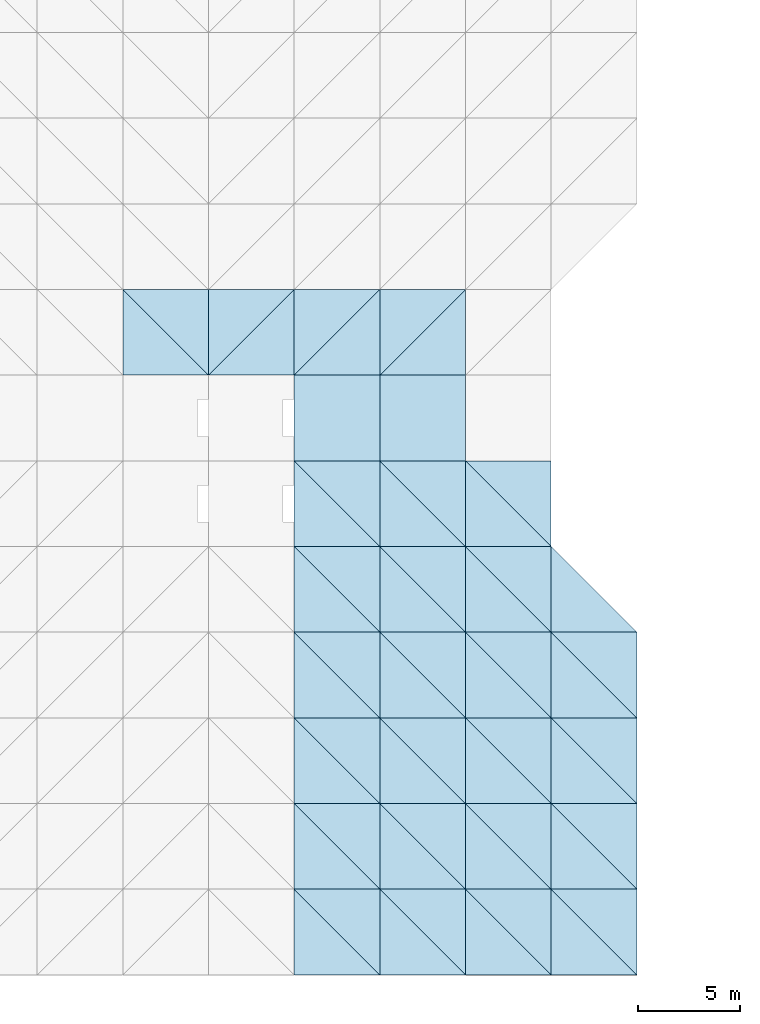
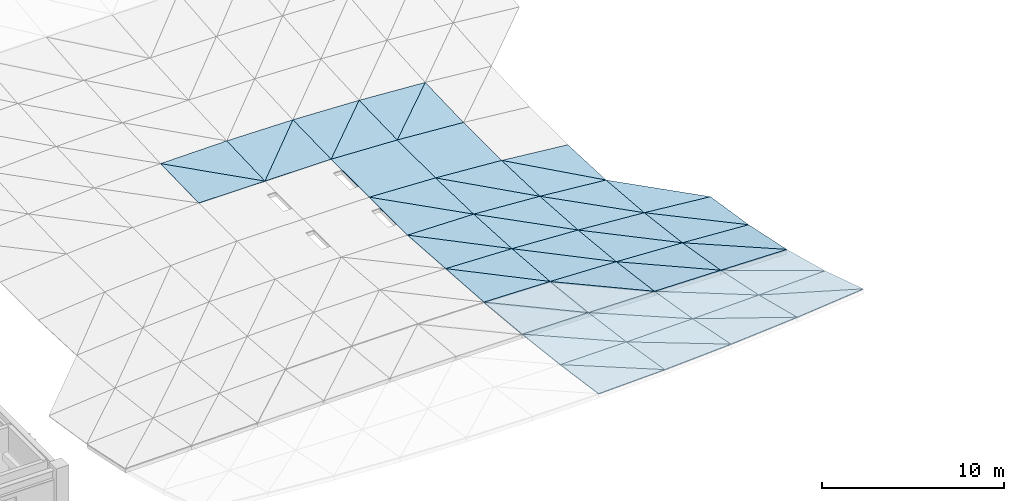
# One storey, part 99 of 123: 55 roofs.
"""IFC4 building model written with IfcOpenShell, lengths in metres."""

from ifc_helpers import new_model, si_unit, direction, frame, origin, place, context, subcontext, project, spatial, polyline, outline, extrude, material, layer, layer_set, type_object, element, save


model = new_model("IFC4")

# Units and contexts
model_context = context("Model", 3, precision=1e-05, world=origin(), true_north=direction((0.0, 1.0)))
body_context = subcontext(model_context, "Body", "Model", "MODEL_VIEW")
ifc_project = project(units=[si_unit("LENGTHUNIT", "METRE"), si_unit("AREAUNIT", "SQUARE_METRE"), si_unit("VOLUMEUNIT", "CUBIC_METRE"), si_unit("PLANEANGLEUNIT", "RADIAN"), si_unit("MASSUNIT", "GRAM", prefix="KILO")], contexts=[model_context])

# Site, building, storey
site_placement = place(None, origin())
site = spatial("IfcSite", under=ifc_project, at=site_placement, CompositionType="ELEMENT")
building_placement = place(site_placement, origin())
building = spatial("IfcBuilding", under=site, at=building_placement, Name="Cumbredor Promenade Congress Hotel", CompositionType="ELEMENT")
storey_placement = place(building_placement, frame((0.0, 0.0, 11.760009765625)))
storey = spatial("IfcBuildingStorey", under=building, at=storey_placement, Name="L03", CompositionType="ELEMENT", Elevation=11.760009765625)

# Roofs
ifc_material = material(Name="Standing-seam zinc-aluminium roofing", Category="aluminium")
ifc_layer = layer(ifc_material, 0.050048828125, Name="Standing-seam zinc-aluminium roofing", Category="aluminium")
ifc_layer_set = layer_set([ifc_layer], Name="Standing-seam zinc-aluminium roofing")
roof_type = type_object("IfcRoofType", Name="Sweeping Pavilion Standing-Seam Roof Skin 50mm", PredefinedType="FREEFORM", material=ifc_layer_set)
roof_1_placement = place(storey_placement, frame((88.199951171875, 29.39990234375, 0.742431640625), z_axis=(0.0, -0.023766825704, 0.999717529103), x_axis=(1.0, 0.0, 0.0)))
element("IfcRoof", 1, at=roof_1_placement, inside=storey, type_object=roof_type, Name="Thermal Spa and Hydrotherapy Pavilion Standing-Seam Roof Skin 5.8.1", PredefinedType="FREEFORM", context=body_context, shape_type="SweptSolid", body=[
    extrude(outline(polyline([(0.0, 0.0), (4.199951171875, 0.0), (0.0, 4.2013820806646045), (0.0, 0.0)])), origin(), (0.0, 0.0, -1.0), 0.050048828125),
])
roof_2_placement = place(storey_placement, frame((92.39990234375, 29.39990234375, 0.742431640625), z_axis=(-0.012894982463, -0.036649824226, 0.99924496987), x_axis=(0.0, 0.999328057745, 0.036652871683)))
element("IfcRoof", 2, at=roof_2_placement, inside=storey, type_object=roof_type, Name="Thermal Spa and Hydrotherapy Pavilion Standing-Seam Roof Skin 5.8.2", PredefinedType="FREEFORM", context=body_context, shape_type="SweptSolid", body=[
    extrude(outline(polyline([(0.0, 0.0), (4.203019498897833, 4.336808689942018e-19), (4.20103294188766, 4.200300400571196), (0.0, 0.0)])), origin(), (0.0, 0.0, -1.0), 0.050048828125),
])
roof_3_placement = place(storey_placement, frame((92.39990234375, 29.39990234375, 0.742431640625), z_axis=(0.0, -0.023766825704, 0.999717529103), x_axis=(1.0, 0.0, 0.0)))
element("IfcRoof", 3, at=roof_3_placement, inside=storey, type_object=roof_type, Name="Thermal Spa and Hydrotherapy Pavilion Standing-Seam Roof Skin 6.8.1", PredefinedType="FREEFORM", context=body_context, shape_type="SweptSolid", body=[
    extrude(outline(polyline([(0.0, 0.0), (4.2001953125, 0.0), (4.2001953125, 4.201382080664605), (0.0, 0.0)])), origin(), (0.0, 0.0, -1.0), 0.050048828125),
])
roof_4_placement = place(storey_placement, frame((92.39990234375, 29.39990234375, 0.742431640625), z_axis=(0.012894233054, -0.03664982458, 0.999244979528), x_axis=(0.707006891483, 0.707006891483, 0.016808057348)))
element("IfcRoof", 4, at=roof_4_placement, inside=storey, type_object=roof_type, Name="Thermal Spa and Hydrotherapy Pavilion Standing-Seam Roof Skin 6.8.2", PredefinedType="FREEFORM", context=body_context, shape_type="SweptSolid", body=[
    extrude(outline(polyline([(0.0, 0.0), (5.940812406639063, -6.938893903907228e-17), (2.9721563587050195, 2.9718108095107105), (0.0, 0.0)])), origin(), (0.0, 0.0, -1.0), 0.050048828125),
])
roof_5_placement = place(storey_placement, frame((96.60009765625, 0.0, 2.837890625), z_axis=(-0.03393363177, 0.141025873049, 0.989424181919), x_axis=(0.999412398725, 0.0, 0.034276191086)))
element("IfcRoof", 5, at=roof_5_placement, inside=storey, type_object=roof_type, Name="Thermal Spa and Hydrotherapy Pavilion Standing-Seam Roof Skin 7.1.1", PredefinedType="FREEFORM", context=body_context, shape_type="SweptSolid", body=[
    extrude(outline(polyline([(0.0, 0.0), (4.202420519531631, 0.0), (-0.02051885267142959, 4.242349592739959), (0.0, 0.0)])), origin(), (0.0, 0.0, -1.0), 0.050048828125),
])
roof_6_placement = place(storey_placement, frame((100.800048828125, 0.0, 2.98193359375), z_axis=(-0.012216552211, 0.162256461051, 0.986672993802), x_axis=(0.0, 0.98674662963, -0.16226857032)))
element("IfcRoof", 6, at=roof_6_placement, inside=storey, type_object=roof_type, Name="Thermal Spa and Hydrotherapy Pavilion Standing-Seam Roof Skin 7.1.2", PredefinedType="FREEFORM", context=body_context, shape_type="SweptSolid", body=[
    extrude(outline(polyline([(0.0, 0.0), (4.256362318105806, -1.734723475976807e-18), (4.264800600693272, 4.200264616027182), (0.0, 0.0)])), origin(), (0.0, 0.0, -1.0), 0.050048828125),
])
roof_7_placement = place(storey_placement, frame((96.60009765625, 4.199951171875, 2.2392578125), z_axis=(-0.012294149294, 0.117977658011, 0.992940142256), x_axis=(0.999923357281, 0.0, 0.012380612399)))
element("IfcRoof", 7, at=roof_7_placement, inside=storey, type_object=roof_type, Name="Thermal Spa and Hydrotherapy Pavilion Standing-Seam Roof Skin 7.2.1", PredefinedType="FREEFORM", context=body_context, shape_type="SweptSolid", body=[
    extrude(outline(polyline([(0.0, 0.0), (4.200273092224242, 0.0), (-0.006178215757730533, 4.229488865922046), (0.0, 0.0)])), origin(), (0.0, 0.0, -1.0), 0.050048828125),
])
roof_8_placement = place(storey_placement, frame((100.800048828125, 4.199951171875, 2.291259765625), z_axis=(0.005816583131, 0.135797059638, 0.990719600066), x_axis=(0.0, 0.99073635982, -0.135799356883)))
element("IfcRoof", 8, at=roof_8_placement, inside=storey, type_object=roof_type, Name="Thermal Spa and Hydrotherapy Pavilion Standing-Seam Roof Skin 7.2.2", PredefinedType="FREEFORM", context=body_context, shape_type="SweptSolid", body=[
    extrude(outline(polyline([(0.0, 0.0), (4.239221797246176, 0.0), (4.235873229119914, 4.200022221394436), (0.0, 0.0)])), origin(), (0.0, 0.0, -1.0), 0.050048828125),
])
roof_9_placement = place(storey_placement, frame((96.60009765625, 8.39990234375, 1.740234375), z_axis=(0.005844666112, 0.094550785274, 0.995502882408), x_axis=(0.99998276572, 0.0, -0.005870967816)))
element("IfcRoof", 9, at=roof_9_placement, inside=storey, type_object=roof_type, Name="Thermal Spa and Hydrotherapy Pavilion Standing-Seam Roof Skin 7.3.1", PredefinedType="FREEFORM", context=body_context, shape_type="SweptSolid", body=[
    extrude(outline(polyline([(0.0, 0.0), (4.20002355625722, 0.0), (0.0023420804226697506, 4.219096699146892), (0.0, 0.0)])), origin(), (0.0, 0.0, -1.0), 0.050048828125),
])
roof_10_placement = place(storey_placement, frame((100.800048828125, 8.39990234375, 1.715576171875), z_axis=(0.020393234648, 0.108950155595, 0.993838004695), x_axis=(0.0, 0.99404472985, -0.108972817978)))
element("IfcRoof", 10, at=roof_10_placement, inside=storey, type_object=roof_type, Name="Thermal Spa and Hydrotherapy Pavilion Standing-Seam Roof Skin 7.3.2", PredefinedType="FREEFORM", context=body_context, shape_type="SweptSolid", body=[
    extrude(outline(polyline([(0.0, 0.0), (4.225358463632933, 0.0), (4.215967007396045, 4.200824790664894), (0.0, 0.0)])), origin(), (0.0, 0.0, -1.0), 0.050048828125),
])
roof_11_placement = place(storey_placement, frame((96.60009765625, 12.60009765625, 1.34130859375), z_axis=(0.020463395145, 0.071129138365, 0.997257186053), x_axis=(0.999789537892, 0.0, -0.020515358186)))
element("IfcRoof", 11, at=roof_11_placement, inside=storey, type_object=roof_type, Name="Thermal Spa and Hydrotherapy Pavilion Standing-Seam Roof Skin 7.4.1", PredefinedType="FREEFORM", context=body_context, shape_type="SweptSolid", body=[
    extrude(outline(polyline([(0.0, 0.0), (4.200835288524772, 0.0), (0.006145591917572152, 4.210616178076342), (0.0, 0.0)])), origin(), (0.0, 0.0, -1.0), 0.050048828125),
])
roof_12_placement = place(storey_placement, frame((100.800048828125, 12.60009765625, 1.255126953125), z_axis=(0.031269074977, 0.081878651885, 0.996151660801), x_axis=(0.0, 0.996639014372, -0.081918709895)))
element("IfcRoof", 12, at=roof_12_placement, inside=storey, type_object=roof_type, Name="Thermal Spa and Hydrotherapy Pavilion Standing-Seam Roof Skin 7.4.2", PredefinedType="FREEFORM", context=body_context, shape_type="SweptSolid", body=[
    extrude(outline(polyline([(0.0, 0.0), (4.214114750986205, 0.0), (4.203314921068416, 4.202005940527029), (0.0, 0.0)])), origin(), (0.0, 0.0, -1.0), 0.050048828125),
])
roof_13_placement = place(storey_placement, frame((96.60009765625, 16.800048828125, 1.041748046875), z_axis=(0.031295126423, 0.071051527769, 0.99698159234), x_axis=(0.999507701685, 0.0, -0.031374420677)))
element("IfcRoof", 13, at=roof_13_placement, inside=storey, type_object=roof_type, Name="Thermal Spa and Hydrotherapy Pavilion Standing-Seam Roof Skin 7.5.1", PredefinedType="FREEFORM", context=body_context, shape_type="SweptSolid", body=[
    extrude(outline(polyline([(0.0, 0.0), (4.202019819152533, -1.734723475976807e-18), (0.009390878845273525, 4.210592828638161), (0.0, 0.0)])), origin(), (0.0, 0.0, -1.0), 0.050048828125),
])
roof_14_placement = place(storey_placement, frame((100.800048828125, 16.800048828125, 0.909912109375), z_axis=(0.014973176444, 0.054785575826, 0.998385869626), x_axis=(0.0, 0.998497805514, -0.054791718212)))
element("IfcRoof", 14, at=roof_14_placement, inside=storey, type_object=roof_type, Name="Thermal Spa and Hydrotherapy Pavilion Standing-Seam Roof Skin 7.5.2", PredefinedType="FREEFORM", context=body_context, shape_type="SweptSolid", body=[
    extrude(outline(polyline([(0.0, 0.0), (4.206269807187926, 0.0), (4.2028185710310035, 4.200422057207824), (0.0, 0.0)])), origin(), (0.0, 0.0, -1.0), 0.050048828125),
])
roof_15_placement = place(storey_placement, frame((96.60009765625, 21.0, 0.742431640625), z_axis=(0.014995697844, 0.0, 0.999887558202), x_axis=(0.999887558202, 0.0, -0.014995697844)))
element("IfcRoof", 15, at=roof_15_placement, inside=storey, type_object=roof_type, Name="Thermal Spa and Hydrotherapy Pavilion Standing-Seam Roof Skin 7.6.1", PredefinedType="FREEFORM", context=body_context, shape_type="SweptSolid", body=[
    extrude(outline(polyline([(0.0, 0.0), (4.200423475044988, 0.0), (0.0, 4.199951171875001), (0.0, 0.0)])), origin(), (0.0, 0.0, -1.0), 0.050048828125),
])
roof_16_placement = place(storey_placement, frame((100.800048828125, 21.0, 0.679443359375), z_axis=(0.042322500942, 0.027344167275, 0.99872974444), x_axis=(0.0, 0.999625407256, -0.027368689578)))
element("IfcRoof", 16, at=roof_16_placement, inside=storey, type_object=roof_type, Name="Thermal Spa and Hydrotherapy Pavilion Standing-Seam Roof Skin 7.6.2", PredefinedType="FREEFORM", context=body_context, shape_type="SweptSolid", body=[
    extrude(outline(polyline([(0.0, 0.0), (4.201525032667996, 8.673617379884035e-19), (4.196653993922229, 4.203717696413474), (0.0, 0.0)])), origin(), (0.0, 0.0, -1.0), 0.050048828125),
])
roof_17_placement = place(storey_placement, frame((96.60009765625, 25.199951171875, 0.742431640625), z_axis=(0.042338332161, 0.0, 0.999103330807), x_axis=(0.999103330807, 0.0, -0.042338332161)))
element("IfcRoof", 17, at=roof_17_placement, inside=storey, type_object=roof_type, Name="Thermal Spa and Hydrotherapy Pavilion Standing-Seam Roof Skin 7.7", PredefinedType="FREEFORM", context=body_context, shape_type="SweptSolid", body=[
    extrude(outline(polyline([(0.0, 0.0), (4.203720518559513, 0.0), (4.203720518559513, 4.199951171875), (0.0, 4.199951171875), (0.0, 0.0)])), origin(), (0.0, 0.0, -1.0), 0.050048828125),
])
roof_18_placement = place(storey_placement, frame((96.60009765625, 29.39990234375, 0.742431640625), z_axis=(0.042322502781, -0.027342579056, 0.998729787845), x_axis=(0.999103330807, 0.0, -0.042338332161)))
element("IfcRoof", 18, at=roof_18_placement, inside=storey, type_object=roof_type, Name="Thermal Spa and Hydrotherapy Pavilion Standing-Seam Roof Skin 7.8.1", PredefinedType="FREEFORM", context=body_context, shape_type="SweptSolid", body=[
    extrude(outline(polyline([(0.0, 0.0), (4.203720518559513, 0.0), (4.198852023821322, 4.201766261336721), (0.0, 0.0)])), origin(), (0.0, 0.0, -1.0), 0.050048828125),
])
roof_19_placement = place(storey_placement, frame((96.60009765625, 29.39990234375, 0.742431640625), z_axis=(0.038732269521, -0.023748991651, 0.998967365179), x_axis=(0.707046475575, 0.707087575759, -0.010603847625)))
element("IfcRoof", 19, at=roof_19_placement, inside=storey, type_object=roof_type, Name="Thermal Spa and Hydrotherapy Pavilion Standing-Seam Roof Skin 7.8.2", PredefinedType="FREEFORM", context=body_context, shape_type="SweptSolid", body=[
    extrude(outline(polyline([(0.0, 0.0), (5.940134513027124, -3.0401028916493544e-16), (2.9688470897663084, 2.9728031124371093), (0.0, 0.0)])), origin(), (0.0, 0.0, -1.0), 0.050048828125),
])
roof_20_placement = place(storey_placement, frame((100.800048828125, 0.0, 2.98193359375), z_axis=(-0.056294469809, 0.162011246277, 0.985181855674), x_axis=(0.998371428865, 0.0, 0.0570481378)))
element("IfcRoof", 20, at=roof_20_placement, inside=storey, type_object=roof_type, Name="Thermal Spa and Hydrotherapy Pavilion Standing-Seam Roof Skin 8.1.1", PredefinedType="FREEFORM", context=body_context, shape_type="SweptSolid", body=[
    extrude(outline(polyline([(0.0, 0.0), (4.206802248588535, 6.938893903907228e-18), (-0.03940165572175666, 4.2561799412756764), (0.0, 0.0)])), origin(), (0.0, 0.0, -1.0), 0.050048828125),
])
roof_21_placement = place(storey_placement, frame((105.0, 0.0, 3.221923828125), z_axis=(-0.020227342875, 0.196974434701, 0.980199942193), x_axis=(0.0, 0.980400525894, -0.197014742662)))
element("IfcRoof", 21, at=roof_21_placement, inside=storey, type_object=roof_type, Name="Thermal Spa and Hydrotherapy Pavilion Standing-Seam Roof Skin 8.1.2", PredefinedType="FREEFORM", context=body_context, shape_type="SweptSolid", body=[
    extrude(outline(polyline([(0.0, 0.0), (4.283913626060115, -3.469446951953614e-18), (4.300988878414865, 4.200810630967435), (0.0, 0.0)])), origin(), (0.0, 0.0, -1.0), 0.050048828125),
])
roof_22_placement = place(storey_placement, frame((100.800048828125, 4.199951171875, 2.291259765625), z_axis=(-0.020440500208, 0.135770984479, 0.990529366412), x_axis=(0.99978714706, 0.0, 0.020631543173)))
element("IfcRoof", 22, at=roof_22_placement, inside=storey, type_object=roof_type, Name="Thermal Spa and Hydrotherapy Pavilion Standing-Seam Roof Skin 8.2.1", PredefinedType="FREEFORM", context=body_context, shape_type="SweptSolid", body=[
    extrude(outline(polyline([(0.0, 0.0), (4.20084533415502, 1.734723475976807e-18), (-0.011877240918479985, 4.239205158681903), (0.0, 0.0)])), origin(), (0.0, 0.0, -1.0), 0.050048828125),
])
roof_23_placement = place(storey_placement, frame((105.0, 4.199951171875, 2.3779296875), z_axis=(0.009688390753, 0.165218592604, 0.986209385345), x_axis=(0.0, 0.986255673834, -0.165226347264)))
element("IfcRoof", 23, at=roof_23_placement, inside=storey, type_object=roof_type, Name="Thermal Spa and Hydrotherapy Pavilion Standing-Seam Roof Skin 8.2.2", PredefinedType="FREEFORM", context=body_context, shape_type="SweptSolid", body=[
    extrude(outline(polyline([(0.0, 0.0), (4.258481125434934, 0.0), (4.25166392507173, 4.200148299783333), (0.0, 0.0)])), origin(), (0.0, 0.0, -1.0), 0.050048828125),
])
roof_24_placement = place(storey_placement, frame((100.800048828125, 8.39990234375, 1.715576171875), z_axis=(0.009764898552, 0.108967622398, 0.993997336025), x_axis=(0.999951749302, 0.0, -0.009823393922)))
element("IfcRoof", 24, at=roof_24_placement, inside=storey, type_object=roof_type, Name="Thermal Spa and Hydrotherapy Pavilion Standing-Seam Roof Skin 8.3.1", PredefinedType="FREEFORM", context=body_context, shape_type="SweptSolid", body=[
    extrude(outline(polyline([(0.0, 0.0), (4.200153832229674, 0.0), (0.0045231740566402424, 4.225356042641958), (0.0, 0.0)])), origin(), (0.0, 0.0, -1.0), 0.050048828125),
])
roof_25_placement = place(storey_placement, frame((105.0, 8.39990234375, 1.67431640625), z_axis=(0.03385795146, 0.132717758183, 0.990575406411), x_axis=(0.0, 0.991143673483, -0.132793894872)))
element("IfcRoof", 25, at=roof_25_placement, inside=storey, type_object=roof_type, Name="Thermal Spa and Hydrotherapy Pavilion Standing-Seam Roof Skin 8.3.2", PredefinedType="FREEFORM", context=body_context, shape_type="SweptSolid", body=[
    extrude(outline(polyline([(0.0, 0.0), (4.237725997625938, 0.0), (4.218662811545682, 4.202360573460336), (0.0, 0.0)])), origin(), (0.0, 0.0, -1.0), 0.050048828125),
])
roof_26_placement = place(storey_placement, frame((100.800048828125, 12.60009765625, 1.255126953125), z_axis=(0.034045457996, 0.08187122042, 0.996061248145), x_axis=(0.999416372229, 0.0, -0.034160136422)))
element("IfcRoof", 26, at=roof_26_placement, inside=storey, type_object=roof_type, Name="Thermal Spa and Hydrotherapy Pavilion Standing-Seam Roof Skin 8.4.1", PredefinedType="FREEFORM", context=body_context, shape_type="SweptSolid", body=[
    extrude(outline(polyline([(0.0, 0.0), (4.202403811443803, 0.0), (0.011792586157460769, 4.214098251036779), (0.0, 0.0)])), origin(), (0.0, 0.0, -1.0), 0.050048828125),
])
roof_27_placement = place(storey_placement, frame((105.0, 12.60009765625, 1.111572265625), z_axis=(0.052099332578, 0.099808920947, 0.993641705468), x_axis=(0.0, 0.994992997931, -0.099944655027)))
element("IfcRoof", 27, at=roof_27_placement, inside=storey, type_object=roof_type, Name="Thermal Spa and Hydrotherapy Pavilion Standing-Seam Roof Skin 8.4.2", PredefinedType="FREEFORM", context=body_context, shape_type="SweptSolid", body=[
    extrude(outline(polyline([(0.0, 0.0), (4.221086159006848, 0.0), (4.199076862416491, 4.205662850776988), (0.0, 0.0)])), origin(), (0.0, 0.0, -1.0), 0.050048828125),
])
roof_28_placement = place(storey_placement, frame((100.800048828125, 16.800048828125, 0.909912109375), z_axis=(0.052282348828, 0.054716781922, 0.997132202758), x_axis=(0.998628232976, 0.0, -0.052360789754)))
element("IfcRoof", 28, at=roof_28_placement, inside=storey, type_object=roof_type, Name="Thermal Spa and Hydrotherapy Pavilion Standing-Seam Roof Skin 8.5.1", PredefinedType="FREEFORM", context=body_context, shape_type="SweptSolid", body=[
    extrude(outline(polyline([(0.0, 0.0), (4.2057204404884105, 1.734723475976807e-18), (0.012067525763698624, 4.206252496662877), (0.0, 0.0)])), origin(), (0.0, 0.0, -1.0), 0.050048828125),
])
roof_29_placement = place(storey_placement, frame((105.0, 16.800048828125, 0.689697265625), z_axis=(0.064303830401, 0.066734758283, 0.995696484594), x_axis=(0.0, 0.997761484681, -0.066873161183)))
element("IfcRoof", 29, at=roof_29_placement, inside=storey, type_object=roof_type, Name="Thermal Spa and Hydrotherapy Pavilion Standing-Seam Roof Skin 8.5.2", PredefinedType="FREEFORM", context=body_context, shape_type="SweptSolid", body=[
    extrude(outline(polyline([(0.0, 0.0), (4.209373919876968, 3.469446951953614e-18), (4.191235227964194, 4.208661556686839), (0.0, 0.0)])), origin(), (0.0, 0.0, -1.0), 0.050048828125),
])
roof_30_placement = place(storey_placement, frame((100.800048828125, 21.0, 0.679443359375), z_axis=(0.064423458559, 0.027311835267, 0.99754883672), x_axis=(0.997921098963, 0.0, -0.06444749991)))
element("IfcRoof", 30, at=roof_30_placement, inside=storey, type_object=roof_type, Name="Thermal Spa and Hydrotherapy Pavilion Standing-Seam Roof Skin 8.6.1", PredefinedType="FREEFORM", context=body_context, shape_type="SweptSolid", body=[
    extrude(outline(polyline([(0.0, 0.0), (4.208700644008552, 8.673617379884035e-19), (0.007410833119507516, 4.201518496887557), (0.0, 0.0)])), origin(), (0.0, 0.0, -1.0), 0.050048828125),
])
roof_31_placement = place(storey_placement, frame((105.0, 21.0, 0.408203125), z_axis=(0.07047012381, 0.033380584963, 0.996955213737), x_axis=(0.0, 0.999439930889, -0.033463779585)))
element("IfcRoof", 31, at=roof_31_placement, inside=storey, type_object=roof_type, Name="Thermal Spa and Hydrotherapy Pavilion Standing-Seam Roof Skin 8.6.2", PredefinedType="FREEFORM", context=body_context, shape_type="SweptSolid", body=[
    extrude(outline(polyline([(0.0, 0.0), (4.202304752961068, 1.734723475976807e-18), (4.192370193396919, 4.2104187340792425), (0.0, 0.0)])), origin(), (0.0, 0.0, -1.0), 0.050048828125),
])
roof_32_placement = place(storey_placement, frame((100.800048828125, 25.199951171875, 0.564453125), z_axis=(0.070509417793, 0.0, 0.997511113724), x_axis=(0.997511113724, 0.0, -0.070509417793)))
element("IfcRoof", 32, at=roof_32_placement, inside=storey, type_object=roof_type, Name="Thermal Spa and Hydrotherapy Pavilion Standing-Seam Roof Skin 8.7", PredefinedType="FREEFORM", context=body_context, shape_type="SweptSolid", body=[
    extrude(outline(polyline([(0.0, 0.0), (4.2104304544499, 0.0), (4.2104304544499, 4.199951171875001), (0.0, 4.199951171875001), (0.0, 0.0)])), origin(), (0.0, 0.0, -1.0), 0.050048828125),
])
roof_33_placement = place(storey_placement, frame((100.800048828125, 29.39990234375, 0.564453125), z_axis=(0.070470128374, -0.033378646844, 0.996955278306), x_axis=(0.997511113724, 0.0, -0.070509417793)))
element("IfcRoof", 33, at=roof_33_placement, inside=storey, type_object=roof_type, Name="Thermal Spa and Hydrotherapy Pavilion Standing-Seam Roof Skin 8.8.1", PredefinedType="FREEFORM", context=body_context, shape_type="SweptSolid", body=[
    extrude(outline(polyline([(0.0, 0.0), (4.2104304544499, -1.734723475976807e-18), (4.200515067572798, 4.202537059786035), (0.0, 0.0)])), origin(), (0.0, 0.0, -1.0), 0.050048828125),
])
roof_34_placement = place(storey_placement, frame((100.800048828125, 29.39990234375, 0.564453125), z_axis=(0.064423461353, -0.027310248923, 0.997548879971), x_axis=(0.706841710202, 0.706882798483, -0.026296500292)))
element("IfcRoof", 34, at=roof_34_placement, inside=storey, type_object=roof_type, Name="Thermal Spa and Hydrotherapy Pavilion Standing-Seam Roof Skin 8.8.2", PredefinedType="FREEFORM", context=body_context, shape_type="SweptSolid", body=[
    extrude(outline(polyline([(0.0, 0.0), (5.941855313938666, 7.632783294297951e-17), (2.9660219759447006, 2.9761681833125095), (0.0, 0.0)])), origin(), (0.0, 0.0, -1.0), 0.050048828125),
])
roof_35_placement = place(storey_placement, frame((105.0, 0.0, 3.221923828125), z_axis=(-0.078234824353, 0.196410884377, 0.977395557979), x_axis=(0.99681177698, 0.0, 0.079788979649)))
element("IfcRoof", 35, at=roof_35_placement, inside=storey, type_object=roof_type, Name="Thermal Spa and Hydrotherapy Pavilion Standing-Seam Roof Skin 9.1.1", PredefinedType="FREEFORM", context=body_context, shape_type="SweptSolid", body=[
    extrude(outline(polyline([(0.0, 0.0), (4.213384380949298, 0.0), (-0.06734143131020778, 4.283384302998345), (0.0, 0.0)])), origin(), (0.0, 0.0, -1.0), 0.050048828125),
])
roof_36_placement = place(storey_placement, frame((109.199951171875, 0.0, 3.55810546875), z_axis=(-0.028002787108, 0.244362349468, 0.969279570649), x_axis=(0.0, 0.969659827536, -0.244458214964)))
element("IfcRoof", 36, at=roof_36_placement, inside=storey, type_object=roof_type, Name="Thermal Spa and Hydrotherapy Pavilion Standing-Seam Roof Skin 9.1.2", PredefinedType="FREEFORM", context=body_context, shape_type="SweptSolid", body=[
    extrude(outline(polyline([(0.0, 0.0), (4.331365549657219, 0.0), (4.361027593806882, 4.201598849601466), (0.0, 0.0)])), origin(), (0.0, 0.0, -1.0), 0.050048828125),
])
roof_37_placement = place(storey_placement, frame((105.0, 4.199951171875, 2.3779296875), z_axis=(-0.028481672708, 0.165159317392, 0.985855564572), x_axis=(0.999582936058, 0.0, 0.028878260723)))
element("IfcRoof", 37, at=roof_37_placement, inside=storey, type_object=roof_type, Name="Thermal Spa and Hydrotherapy Pavilion Standing-Seam Roof Skin 9.2.1", PredefinedType="FREEFORM", context=body_context, shape_type="SweptSolid", body=[
    extrude(outline(polyline([(0.0, 0.0), (4.20170355092259, 6.938893903907228e-18), (-0.02031912778422067, 4.258432649312616), (0.0, 0.0)])), origin(), (0.0, 0.0, -1.0), 0.050048828125),
])
roof_38_placement = place(storey_placement, frame((109.199951171875, 4.199951171875, 2.499267578125), z_axis=(0.013424112816, 0.205627829795, 0.978538189755), x_axis=(0.0, 0.978626371294, -0.205646360067)))
element("IfcRoof", 38, at=roof_38_placement, inside=storey, type_object=roof_type, Name="Thermal Spa and Hydrotherapy Pavilion Standing-Seam Roof Skin 9.2.2", PredefinedType="FREEFORM", context=body_context, shape_type="SweptSolid", body=[
    extrude(outline(polyline([(0.0, 0.0), (4.291679945557924, 1.734723475976807e-18), (4.279831180671271, 4.200329652920144), (0.0, 0.0)])), origin(), (0.0, 0.0, -1.0), 0.050048828125),
])
roof_39_placement = place(storey_placement, frame((105.0, 8.39990234375, 1.67431640625), z_axis=(0.013595784884, 0.132781621137, 0.991052065091), x_axis=(0.999905914145, 0.0, -0.013717246744)))
element("IfcRoof", 39, at=roof_39_placement, inside=storey, type_object=roof_type, Name="Thermal Spa and Hydrotherapy Pavilion Standing-Seam Roof Skin 9.3.1", PredefinedType="FREEFORM", context=body_context, shape_type="SweptSolid", body=[
    extrude(outline(polyline([(0.0, 0.0), (4.2003463650548625, 0.0), (0.007719300230730732, 4.237718967010282), (0.0, 0.0)])), origin(), (0.0, 0.0, -1.0), 0.050048828125),
])
roof_40_placement = place(storey_placement, frame((109.199951171875, 8.39990234375, 1.61669921875), z_axis=(0.047069450277, 0.165535122983, 0.98507999163), x_axis=(0.0, 0.986173046929, -0.165718802527)))
element("IfcRoof", 40, at=roof_40_placement, inside=storey, type_object=roof_type, Name="Thermal Spa and Hydrotherapy Pavilion Standing-Seam Roof Skin 9.3.2", PredefinedType="FREEFORM", context=body_context, shape_type="SweptSolid", body=[
    extrude(outline(polyline([(0.0, 0.0), (4.259085487663632, -6.938893903907228e-18), (4.225828442820602, 4.204611482634621), (0.0, 0.0)])), origin(), (0.0, 0.0, -1.0), 0.050048828125),
])
roof_41_placement = place(storey_placement, frame((105.0, 12.60009765625, 1.111572265625), z_axis=(0.047489476072, 0.099831891305, 0.993870385483), x_axis=(0.998860373953, 0.0, -0.047727909515)))
element("IfcRoof", 41, at=roof_41_placement, inside=storey, type_object=roof_type, Name="Thermal Spa and Hydrotherapy Pavilion Standing-Seam Roof Skin 9.4.1", PredefinedType="FREEFORM", context=body_context, shape_type="SweptSolid", body=[
    extrude(outline(polyline([(0.0, 0.0), (4.20474300652663, 0.0), (0.020135211826707643, 4.22103813474883), (0.0, 0.0)])), origin(), (0.0, 0.0, -1.0), 0.050048828125),
])
roof_42_placement = place(storey_placement, frame((109.199951171875, 12.60009765625, 0.910888671875), z_axis=(0.072591572305, 0.124705648778, 0.989534721368), x_axis=(0.0, 0.992152265457, -0.125035523543)))
element("IfcRoof", 42, at=roof_42_placement, inside=storey, type_object=roof_type, Name="Thermal Spa and Hydrotherapy Pavilion Standing-Seam Roof Skin 9.4.2", PredefinedType="FREEFORM", context=body_context, shape_type="SweptSolid", body=[
    extrude(outline(polyline([(0.0, 0.0), (4.233171981861705, 0.0), (4.1946478532700615, 4.211060996652044), (0.0, 0.0)])), origin(), (0.0, 0.0, -1.0), 0.050048828125),
])
roof_43_placement = place(storey_placement, frame((105.0, 16.800048828125, 0.689697265625), z_axis=(0.072999794171, 0.066694740633, 0.995099412935), x_axis=(0.997320018789, 0.0, -0.073162696257)))
element("IfcRoof", 43, at=roof_43_placement, inside=storey, type_object=roof_type, Name="Thermal Spa and Hydrotherapy Pavilion Standing-Seam Roof Skin 9.5.1", PredefinedType="FREEFORM", context=body_context, shape_type="SweptSolid", body=[
    extrude(outline(polyline([(0.0, 0.0), (4.211237208470671, 0.0), (0.02059487030870446, 4.209323538130249), (0.0, 0.0)])), origin(), (0.0, 0.0, -1.0), 0.050048828125),
])
roof_44_placement = place(storey_placement, frame((109.199951171875, 16.800048828125, 0.381591796875), z_axis=(0.089710388059, 0.08342200716, 0.992468042304), x_axis=(0.0, 0.996485979202, -0.083759735274)))
element("IfcRoof", 44, at=roof_44_placement, inside=storey, type_object=roof_type, Name="Thermal Spa and Hydrotherapy Pavilion Standing-Seam Roof Skin 9.5.2", PredefinedType="FREEFORM", context=body_context, shape_type="SweptSolid", body=[
    extrude(outline(polyline([(0.0, 0.0), (4.214761932964823, 0.0), (4.1829634983086255, 4.216954378087416), (0.0, 0.0)])), origin(), (0.0, 0.0, -1.0), 0.050048828125),
])
roof_45_placement = place(storey_placement, frame((105.0, 21.0, 0.408203125), z_axis=(0.089974173033, 0.033328053805, 0.995386301401), x_axis=(0.995939579594, 0.0, -0.090024184518)))
element("IfcRoof", 45, at=roof_45_placement, inside=storey, type_object=roof_type, Name="Thermal Spa and Hydrotherapy Pavilion Standing-Seam Roof Skin 9.6.1", PredefinedType="FREEFORM", context=body_context, shape_type="SweptSolid", body=[
    extrude(outline(polyline([(0.0, 0.0), (4.21707426627955, -1.734723475976807e-18), (0.012659650947888448, 4.20228568400544), (0.0, 0.0)])), origin(), (0.0, 0.0, -1.0), 0.050048828125),
])
roof_46_placement = place(storey_placement, frame((109.199951171875, 21.0, 0.028564453125), z_axis=(0.098369549328, 0.041786829709, 0.994272242712), x_axis=(0.0, 0.999118010612, -0.041990485478)))
element("IfcRoof", 46, at=roof_46_placement, inside=storey, type_object=roof_type, Name="Thermal Spa and Hydrotherapy Pavilion Standing-Seam Roof Skin 9.6.2", PredefinedType="FREEFORM", context=body_context, shape_type="SweptSolid", body=[
    extrude(outline(polyline([(0.0, 0.0), (4.203658754286911, 0.0), (4.186210559393598, 4.220420403233911), (0.0, 0.0)])), origin(), (0.0, 0.0, -1.0), 0.050048828125),
])
roof_47_placement = place(storey_placement, frame((109.199951171875, 0.0, 3.55810546875), z_axis=(-0.099218982632, 0.243251965898, 0.964875160097), x_axis=(0.99475446684, 0.0, 0.102291498683)))
element("IfcRoof", 47, at=roof_47_placement, inside=storey, type_object=roof_type, Name="Thermal Spa and Hydrotherapy Pavilion Standing-Seam Roof Skin 10.1.1", PredefinedType="FREEFORM", context=body_context, shape_type="SweptSolid", body=[
    extrude(outline(polyline([(0.0, 0.0), (4.222098328664687, -1.3877787807814457e-17), (-0.10831011469410172, 4.330011136684562), (0.0, 0.0)])), origin(), (0.0, 0.0, -1.0), 0.050048828125),
])
roof_48_placement = place(storey_placement, frame((113.39990234375, 0.0, 3.989990234375), z_axis=(-0.035322049903, 0.302728791331, 0.952421981944), x_axis=(0.0, 0.953016681797, -0.302917817594)))
element("IfcRoof", 48, at=roof_48_placement, inside=storey, type_object=roof_type, Name="Thermal Spa and Hydrotherapy Pavilion Standing-Seam Roof Skin 10.1.2", PredefinedType="FREEFORM", context=body_context, shape_type="SweptSolid", body=[
    extrude(outline(polyline([(0.0, 0.0), (4.407006983292069, -1.3877787807814457e-17), (4.454189983200497, 4.202573654759876), (0.0, 0.0)])), origin(), (0.0, 0.0, -1.0), 0.050048828125),
])
roof_49_placement = place(storey_placement, frame((109.199951171875, 4.199951171875, 2.499267578125), z_axis=(-0.036270000031, 0.205511050332, 0.977982461647), x_axis=(0.999313002329, 0.0, 0.037061076294)))
element("IfcRoof", 49, at=roof_49_placement, inside=storey, type_object=roof_type, Name="Thermal Spa and Hydrotherapy Pavilion Standing-Seam Roof Skin 10.2.1", PredefinedType="FREEFORM", context=body_context, shape_type="SweptSolid", body=[
    extrude(outline(polyline([(0.0, 0.0), (4.202838512144161, 0.0), (-0.03270893330148069, 4.291555298581896), (0.0, 0.0)])), origin(), (0.0, 0.0, -1.0), 0.050048828125),
])
roof_50_placement = place(storey_placement, frame((113.39990234375, 4.199951171875, 2.655029296875), z_axis=(0.017023757337, 0.255974384252, 0.966533655023), x_axis=(0.0, 0.966673740217, -0.256011484068)))
element("IfcRoof", 50, at=roof_50_placement, inside=storey, type_object=roof_type, Name="Thermal Spa and Hydrotherapy Pavilion Standing-Seam Roof Skin 10.2.2", PredefinedType="FREEFORM", context=body_context, shape_type="SweptSolid", body=[
    extrude(outline(polyline([(0.0, 0.0), (4.34474528182823, -3.469446951953614e-18), (4.3258069322987565, 4.2005598945716125), (0.0, 0.0)])), origin(), (0.0, 0.0, -1.0), 0.050048828125),
])
roof_51_placement = place(storey_placement, frame((109.199951171875, 8.39990234375, 1.61669921875), z_axis=(0.017367050343, 0.16569380905, 0.986024313699), x_axis=(0.99984492355, 0.0, -0.017610475605)))
element("IfcRoof", 51, at=roof_51_placement, inside=storey, type_object=roof_type, Name="Thermal Spa and Hydrotherapy Pavilion Standing-Seam Roof Skin 10.3.1", PredefinedType="FREEFORM", context=body_context, shape_type="SweptSolid", body=[
    extrude(outline(polyline([(0.0, 0.0), (4.200602586411427, -1.734723475976807e-18), (0.012429659417611793, 4.259067350347223), (0.0, 0.0)])), origin(), (0.0, 0.0, -1.0), 0.050048828125),
])
roof_52_placement = place(storey_placement, frame((113.39990234375, 8.39990234375, 1.542724609375), z_axis=(0.06005604851, 0.206948606184, 0.976506807675), x_axis=(0.0, 0.978272583312, -0.207322822527)))
element("IfcRoof", 52, at=roof_52_placement, inside=storey, type_object=roof_type, Name="Thermal Spa and Hydrotherapy Pavilion Standing-Seam Roof Skin 10.3.2", PredefinedType="FREEFORM", context=body_context, shape_type="SweptSolid", body=[
    extrude(outline(polyline([(0.0, 0.0), (4.2934815757394365, 0.0), (4.239929928709755, 4.207545764555504), (0.0, 0.0)])), origin(), (0.0, 0.0, -1.0), 0.050048828125),
])
roof_53_placement = place(storey_placement, frame((109.199951171875, 12.60009765625, 0.910888671875), z_axis=(0.060904982038, 0.124803403648, 0.990310402652), x_axis=(0.998114167579, 0.0, -0.061384920613)))
element("IfcRoof", 53, at=roof_53_placement, inside=storey, type_object=roof_type, Name="Thermal Spa and Hydrotherapy Pavilion Standing-Seam Roof Skin 10.4.1", PredefinedType="FREEFORM", context=body_context, shape_type="SweptSolid", body=[
    extrude(outline(polyline([(0.0, 0.0), (4.2078865407385395, 0.0), (0.03249084665236431, 4.2330472915977175), (0.0, 0.0)])), origin(), (0.0, 0.0, -1.0), 0.050048828125),
])
roof_54_placement = place(storey_placement, frame((113.39990234375, 12.60009765625, 0.652587890625), z_axis=(0.0927736666, 0.156223309191, 0.983355136485), x_axis=(0.0, 0.987614497206, -0.156899983774)))
element("IfcRoof", 54, at=roof_54_placement, inside=storey, type_object=roof_type, Name="Thermal Spa and Hydrotherapy Pavilion Standing-Seam Roof Skin 10.4.2", PredefinedType="FREEFORM", context=body_context, shape_type="SweptSolid", body=[
    extrude(outline(polyline([(0.0, 0.0), (4.252622033957864, 6.938893903907228e-18), (4.190451947613815, 4.218143080768564), (0.0, 0.0)])), origin(), (0.0, 0.0, -1.0), 0.050048828125),
])
roof_55_placement = place(storey_placement, frame((109.199951171875, 16.800048828125, 0.381591796875), z_axis=(0.093599759322, 0.083392022169, 0.992111312149), x_axis=(0.99557909429, 0.0, -0.093926923794)))
element("IfcRoof", 55, at=roof_55_placement, inside=storey, type_object=roof_type, Name="Thermal Spa and Hydrotherapy Pavilion Standing-Seam Roof Skin 10.5.1", PredefinedType="FREEFORM", context=body_context, shape_type="SweptSolid", body=[
    extrude(outline(polyline([(0.0, 0.0), (4.218601210054317, 0.0), (0.033158772413684166, 4.214631496036324), (0.0, 0.0)])), origin(), (0.0, 0.0, -1.0), 0.050048828125),
])

save(model, "model.ifc")
